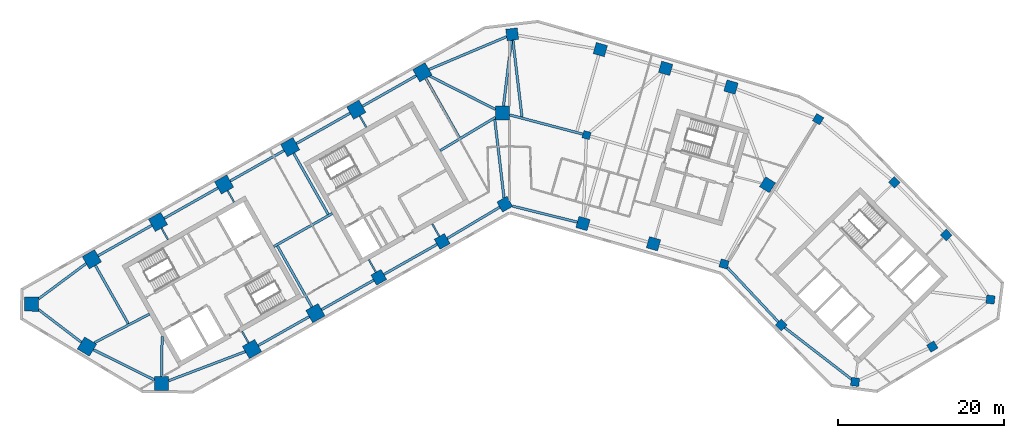
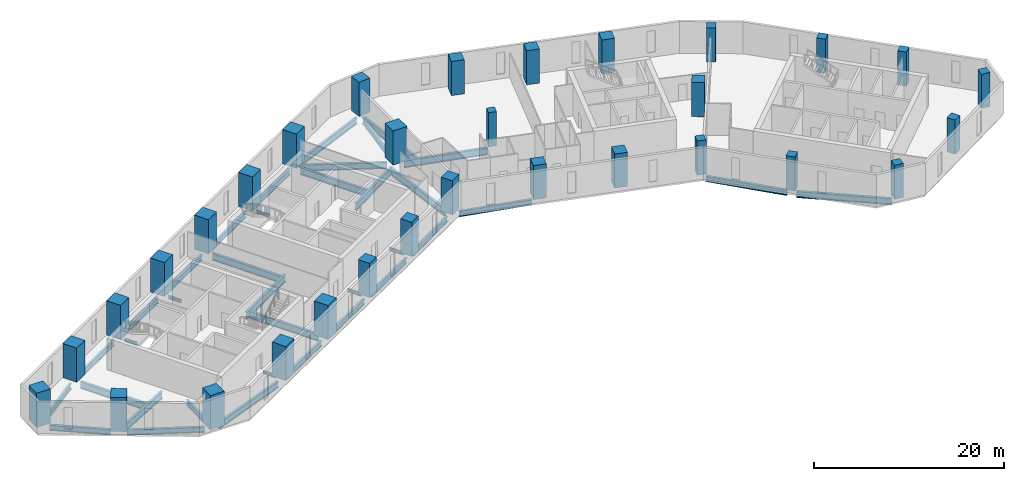
# One storey, part 1 of 10: 36 beams, 31 columns.
"""IFC4 building model written with IfcOpenShell, lengths in metres."""

from ifc_helpers import new_model, si_unit, direction, frame, origin, origin_2d, place, context, subcontext, project, spatial, rectangle, i_section, extrude, material, material_profile, profile_set, type_object, element, save


model = new_model("IFC4")

# Units and contexts
model_context = context("Model", 3, precision=1e-05, world=origin(), true_north=direction((0.0, 1.0)))
body_context = subcontext(model_context, "Body", "Model", "MODEL_VIEW")
ifc_project = project(units=[si_unit("LENGTHUNIT", "METRE"), si_unit("AREAUNIT", "SQUARE_METRE"), si_unit("VOLUMEUNIT", "CUBIC_METRE"), si_unit("PLANEANGLEUNIT", "RADIAN"), si_unit("MASSUNIT", "GRAM", prefix="KILO")], contexts=[model_context])

# Site, building, storey
site_placement = place(None, origin())
site = spatial("IfcSite", under=ifc_project, at=site_placement, CompositionType="ELEMENT")
building_placement = place(site_placement, origin())
building = spatial("IfcBuilding", under=site, at=building_placement, Name="Binnacle Exchange Tower", CompositionType="ELEMENT")
storey_placement = place(building_placement, frame((0.0, 0.0, 101.5)))
storey = spatial("IfcBuildingStorey", under=building, at=storey_placement, Name="L20", CompositionType="ELEMENT", Elevation=101.5)

# Columns
ifc_material_1 = material(Name="Concrete C60/75", Category="concrete")
ifc_material_profile_1 = material_profile(ifc_material_1, rectangle(XDim=0.89990234375, YDim=0.89990234375, at=origin_2d()), Name="Column 900x900 C60/75")
ifc_profile_set_1 = profile_set([ifc_material_profile_1], Name="Concrete C60/75")
column_type_1 = type_object("IfcColumnType", Name="Column 900x900 C60/75", PredefinedType="COLUMN", material=ifc_profile_set_1)
column_placement = place(storey_placement, frame((9.240966796875, 57.35009765625, 0.0), z_axis=(0.0, 0.0, 1.0), x_axis=(0.961261695938, -0.275637355817, 0.0)))
element("IfcColumn", 1, at=column_placement, inside=storey, type_object=column_type_1, Name="S:COL:C19:L20", PredefinedType="COLUMN", context=body_context, shape_type="SweptSolid", body=[
    extrude(rectangle(XDim=0.89990234375, YDim=0.89990234375, at=origin_2d()), origin(), (0.0, 0.0, 1.0), 4.39990234375),
])
ifc_material_2 = material(Name="Concrete C70/85", Category="concrete")
ifc_material_profile_2 = material_profile(ifc_material_2, rectangle(XDim=1.0, YDim=1.0, at=origin_2d()), Name="Mega column 1000x1000 C70/85")
ifc_profile_set_2 = profile_set([ifc_material_profile_2], Name="Concrete C70/85")
column_type_2 = type_object("IfcColumnType", Name="Mega column 1000x1000 C70/85", PredefinedType="COLUMN", material=ifc_profile_set_2)
for number, where, z_axis, x_axis, name in (
    (2, (37.0849609375, 59.262451171875, 0.0), (0.0, 0.0, 1.0), (-0.859406411501, 0.511293086077, 0.0), "S:COL:MC57:L20"),
    (3, (25.766845703125, 41.85986328125, 0.0), (0.0, 0.0, 1.0), (0.961261695938, -0.275637355817, 0.0), "S:COL:MC56:L20"),
    (4, (32.64111328125, 34.530029296875, 0.0), (0.0, 0.0, 1.0), (0.7009092643, -0.713250449154, 0.0), "S:COL:MC59:L20"),
    (5, (41.519775390625, 27.6748046875, 0.0), (0.0, 0.0, 1.0), (0.99200494968, -0.126198969136, 0.0), "S:COL:MC61:L20"),
    (6, (50.81201171875, 31.930908203125, 0.0), (0.0, 0.0, 1.0), (0.857167300702, 0.51503807491, 0.0), "S:COL:MC63:L20"),
    (7, (57.799072265625, 37.5810546875, 0.0), (0.0, 0.0, 1.0), (0.126198969136, 0.99200494968, 0.0), "S:COL:MC62:L20"),
    (8, (52.466796875, 45.33935546875, 0.0), (0.0, 0.0, 1.0), (-0.7009092643, 0.713250449154, 0.0), "S:COL:MC60:L20"),
    (9, (46.248291015625, 51.667236328125, 0.0), (0.0, 0.0, 1.0), (-0.7009092643, 0.713250449154, 0.0), "S:COL:MC58:L20"),
):
    element("IfcColumn", number, at=place(storey_placement, frame(where, z_axis=z_axis, x_axis=x_axis)), inside=storey, type_object=column_type_2, Name=name, PredefinedType="COLUMN", context=body_context, shape_type="SweptSolid", body=[
        extrude(rectangle(XDim=1.0, YDim=1.0, at=origin_2d()), origin(), (0.0, 0.0, 1.0), 4.39990234375),
    ])
ifc_material_profile_3 = material_profile(ifc_material_2, rectangle(XDim=1.39990234375, YDim=1.39990234375, at=origin_2d()), Name="Mega column 1400x1400 C70/85")
ifc_profile_set_3 = profile_set([ifc_material_profile_3], Name="Concrete C70/85")
column_type_3 = type_object("IfcColumnType", Name="Mega column 1400x1400 C70/85", PredefinedType="COLUMN", material=ifc_profile_set_3)
for number, where, z_axis, x_axis, name in (
    (10, (26.602783203125, 63.12353515625, 0.0), (0.0, 0.0, 1.0), (-0.961261695938, 0.275637355817, 0.0), "S:COL:MC52:L20"),
    (11, (18.746337890625, 65.376220703125, 0.0), (0.0, 0.0, 1.0), (-0.961261695938, 0.275637355817, 0.0), "S:COL:MC50:L20"),
    (12, (10.889892578125, 67.62890625, 0.0), (0.0, 0.0, 1.0), (-0.961261695938, 0.275637355817, 0.0), "S:COL:MC48:L20"),
    (13, (0.300048828125, 69.464111328125, 0.0), (0.0, 0.0, 1.0), (-0.993068456955, -0.117537397458, 0.0), "S:COL:MC47:L20"),
    (14, (-15.736328125, 40.257080078125, 0.0), (0.0, 0.0, 1.0), (0.87035569594, 0.492423560103, 0.0), "S:COL:MC24:L20"),
    (15, (-8.116943359375, 44.568115234375, 0.0), (0.0, 0.0, 1.0), (0.87035569594, 0.492423560103, 0.0), "S:COL:MC35:L20"),
    (16, (-0.5908203125, 49.04443359375, 0.0), (0.0, 0.0, 1.0), (0.87035569594, 0.492423560103, 0.0), "S:COL:MC46:L20"),
    (17, (8.8095703125, 46.722412109375, 0.0), (0.0, 0.0, 1.0), (0.961261695938, -0.275637355817, 0.0), "S:COL:MC49:L20"),
    (18, (17.2880859375, 44.291015625, 0.0), (0.0, 0.0, 1.0), (0.961261695938, -0.275637355817, 0.0), "S:COL:MC51:L20"),
    (19, (30.989501953125, 51.38623046875, 0.0), (0.0, 0.0, 1.0), (0.529919264233, 0.848048096156, 0.0), "S:COL:MC55:L20"),
):
    element("IfcColumn", number, at=place(storey_placement, frame(where, z_axis=z_axis, x_axis=x_axis)), inside=storey, type_object=column_type_3, Name=name, PredefinedType="COLUMN", context=body_context, shape_type="SweptSolid", body=[
        extrude(rectangle(XDim=1.39990234375, YDim=1.39990234375, at=origin_2d()), origin(), (0.0, 0.0, 1.0), 4.39990234375),
    ])
ifc_material_profile_4 = material_profile(ifc_material_2, rectangle(XDim=1.699951171875, YDim=1.699951171875, at=origin_2d()), Name="Mega column 1700x1700 C70/85")
ifc_profile_set_4 = profile_set([ifc_material_profile_4], Name="Concrete C70/85")
column_type_4 = type_object("IfcColumnType", Name="Mega column 1700x1700 C70/85", PredefinedType="COLUMN", material=ifc_profile_set_4)
for number, where, z_axis, x_axis, name in (
    (20, (-10.4951171875, 64.901611328125, 0.0), (0.0, 0.0, 1.0), (-0.87035569594, -0.492423560103, 0.0), "S:COL:MC38:L20"),
    (21, (-18.44140625, 60.406005859375, 0.0), (0.0, 0.0, 1.0), (-0.87035569594, -0.492423560103, 0.0), "S:COL:MC29:L20"),
    (22, (-26.3876953125, 55.91015625, 0.0), (0.0, 0.0, 1.0), (-0.87035569594, -0.492423560103, 0.0), "S:COL:MC21:L20"),
    (23, (-34.333740234375, 51.414306640625, 0.0), (0.0, 0.0, 1.0), (-0.87035569594, -0.492423560103, 0.0), "S:COL:MC13:L20"),
    (24, (-42.280029296875, 46.918701171875, 0.0), (0.0, 0.0, 1.0), (-0.87035569594, -0.492423560103, 0.0), "S:COL:MC08:L20"),
    (25, (-50.226318359375, 42.4228515625, 0.0), (0.0, 0.0, 1.0), (-0.87035569594, -0.492423560103, 0.0), "S:COL:MC04:L20"),
    (26, (-57.492919921875, 37.02734375, 0.0), (0.0, 0.0, 1.0), (-0.013089595571, -0.999914327574, 0.0), "S:COL:MC02:L20"),
    (27, (-50.81201171875, 31.930908203125, 0.0), (0.0, 0.0, 1.0), (0.857167300702, -0.51503807491, 0.0), "S:COL:MC01:L20"),
    (28, (-41.857666015625, 27.494873046875, 0.0), (0.0, 0.0, 1.0), (0.999914327574, -0.013089595571, 0.0), "S:COL:MC03:L20"),
    (29, (-30.9755859375, 31.63525390625, 0.0), (0.0, 0.0, 1.0), (0.87035569594, 0.492423560103, 0.0), "S:COL:MC07:L20"),
    (30, (-23.35595703125, 35.9462890625, 0.0), (0.0, 0.0, 1.0), (0.87035569594, 0.492423560103, 0.0), "S:COL:MC16:L20"),
    (31, (-0.85009765625, 60.0, 0.0), (0.0, 0.0, 1.0), (0.0, 1.0, 0.0), "S:COL:MC45:L20"),
):
    element("IfcColumn", number, at=place(storey_placement, frame(where, z_axis=z_axis, x_axis=x_axis)), inside=storey, type_object=column_type_4, Name=name, PredefinedType="COLUMN", context=body_context, shape_type="SweptSolid", body=[
        extrude(rectangle(XDim=1.699951171875, YDim=1.699951171875, at=origin_2d()), origin(), (0.0, 0.0, 1.0), 4.39990234375),
    ])

# Beams
ifc_material_3 = material(Name="Steel S355 (SHN355)", Category="steel")
ifc_material_profile_5 = material_profile(ifc_material_3, i_section(OverallWidth=0.300048828125, OverallDepth=0.699951171875, WebThickness=0.012939453125, FlangeThickness=0.02392578125, FilletRadius=0.028076171875, at=origin_2d()), Name="H 700x300x13x24")
ifc_profile_set_5 = profile_set([ifc_material_profile_5], Name="Steel S355 (SHN355)")
beam_type_1 = type_object("IfcBeamType", Name="Edge girder H 700x300x13x24 Steel S355 (SHN355)", PredefinedType="SPANDREL", material=ifc_profile_set_5)
beam_1_placement = place(storey_placement, frame((-56.6513671875, 36.38525390625, -0.669921875), z_axis=(0.795093040263, -0.606487474994, 0.0), x_axis=(0.606487474994, 0.795093040263, 0.0)))
element("IfcBeam", 32, at=beam_1_placement, inside=storey, type_object=beam_type_1, Name="S:BM:edge:L20:015", PredefinedType="SPANDREL", context=body_context, shape_type="SweptSolid", body=[
    extrude(i_section(OverallWidth=0.300048828125, OverallDepth=0.699951171875, WebThickness=0.012939453125, FlangeThickness=0.02392578125, FilletRadius=0.028076171875, at=origin_2d()), origin(), (0.0, 0.0, 1.0), 6.489013671875),
])
beam_2_placement = place(storey_placement, frame((-50.913818359375, 41.912353515625, -0.669921875), z_axis=(-0.80288535334, -0.59613346609, 0.0), x_axis=(0.59613346609, -0.80288535334, 0.0)))
element("IfcBeam", 33, at=beam_2_placement, inside=storey, type_object=beam_type_1, Name="S:BM:edge:L20:016", PredefinedType="SPANDREL", context=body_context, shape_type="SweptSolid", body=[
    extrude(i_section(OverallWidth=0.300048828125, OverallDepth=0.699951171875, WebThickness=0.012939453125, FlangeThickness=0.02392578125, FilletRadius=0.028076171875, at=origin_2d()), origin(), (0.0, 0.0, 1.0), 7.125244140625),
])
beam_3_placement = place(storey_placement, frame((-43.019775390625, 46.5, -0.669921875), z_axis=(-0.870364477798, -0.492408037898, 0.0), x_axis=(0.492408037898, -0.870364477798, 0.0)))
element("IfcBeam", 34, at=beam_3_placement, inside=storey, type_object=beam_type_1, Name="S:BM:edge:L20:018", PredefinedType="SPANDREL", context=body_context, shape_type="SweptSolid", body=[
    extrude(i_section(OverallWidth=0.300048828125, OverallDepth=0.699951171875, WebThickness=0.012939453125, FlangeThickness=0.02392578125, FilletRadius=0.028076171875, at=origin_2d()), origin(), (0.0, 0.0, 1.0), 7.4296875),
])
beam_4_placement = place(storey_placement, frame((-35.073486328125, 50.995849609375, -0.669921875), z_axis=(-0.870372444894, -0.492393955253, 0.0), x_axis=(0.492393955253, -0.870372444894, 0.0)))
element("IfcBeam", 35, at=beam_4_placement, inside=storey, type_object=beam_type_1, Name="S:BM:edge:L20:020", PredefinedType="SPANDREL", context=body_context, shape_type="SweptSolid", body=[
    extrude(i_section(OverallWidth=0.300048828125, OverallDepth=0.699951171875, WebThickness=0.012939453125, FlangeThickness=0.02392578125, FilletRadius=0.028076171875, at=origin_2d()), origin(), (0.0, 0.0, 1.0), 7.429931640625),
])
beam_5_placement = place(storey_placement, frame((-30.23583984375, 32.053955078125, -0.669921875), z_axis=(0.870373276953, 0.492392484473, 0.0), x_axis=(-0.492392484473, 0.870373276953, 0.0)))
element("IfcBeam", 36, at=beam_5_placement, inside=storey, type_object=beam_type_1, Name="S:BM:edge:L20:021", PredefinedType="SPANDREL", context=body_context, shape_type="SweptSolid", body=[
    extrude(i_section(OverallWidth=0.300048828125, OverallDepth=0.699951171875, WebThickness=0.012939453125, FlangeThickness=0.02392578125, FilletRadius=0.028076171875, at=origin_2d()), origin(), (0.0, 0.0, 1.0), 7.0546875),
])
beam_6_placement = place(storey_placement, frame((-27.12744140625, 55.49169921875, -0.669921875), z_axis=(-0.870350394687, -0.492432929919, 0.0), x_axis=(0.492432929919, -0.870350394687, 0.0)))
element("IfcBeam", 37, at=beam_6_placement, inside=storey, type_object=beam_type_1, Name="S:BM:edge:L20:022", PredefinedType="SPANDREL", context=body_context, shape_type="SweptSolid", body=[
    extrude(i_section(OverallWidth=0.300048828125, OverallDepth=0.699951171875, WebThickness=0.012939453125, FlangeThickness=0.02392578125, FilletRadius=0.028076171875, at=origin_2d()), origin(), (0.0, 0.0, 1.0), 7.429931640625),
])
beam_7_placement = place(storey_placement, frame((-22.6162109375, 36.36474609375, -0.669921875), z_axis=(0.870345646157, 0.492441322612, 0.0), x_axis=(-0.492441322612, 0.870345646157, 0.0)))
element("IfcBeam", 38, at=beam_7_placement, inside=storey, type_object=beam_type_1, Name="S:BM:edge:L20:023", PredefinedType="SPANDREL", context=body_context, shape_type="SweptSolid", body=[
    extrude(i_section(OverallWidth=0.300048828125, OverallDepth=0.699951171875, WebThickness=0.012939453125, FlangeThickness=0.02392578125, FilletRadius=0.028076171875, at=origin_2d()), origin(), (0.0, 0.0, 1.0), 7.20458984375),
])
beam_8_placement = place(storey_placement, frame((-19.18115234375, 59.9873046875, -0.669921875), z_axis=(-0.870364477798, -0.492408037898, 0.0), x_axis=(0.492408037898, -0.870364477798, 0.0)))
element("IfcBeam", 39, at=beam_8_placement, inside=storey, type_object=beam_type_1, Name="S:BM:edge:L20:024", PredefinedType="SPANDREL", context=body_context, shape_type="SweptSolid", body=[
    extrude(i_section(OverallWidth=0.300048828125, OverallDepth=0.699951171875, WebThickness=0.012939453125, FlangeThickness=0.02392578125, FilletRadius=0.028076171875, at=origin_2d()), origin(), (0.0, 0.0, 1.0), 7.4296875),
])
beam_9_placement = place(storey_placement, frame((-15.127197265625, 40.601806640625, -0.669921875), z_axis=(0.870355645737, 0.492423648837, 0.0), x_axis=(-0.492423648837, 0.870355645737, 0.0)))
element("IfcBeam", 40, at=beam_9_placement, inside=storey, type_object=beam_type_1, Name="S:BM:edge:L20:025", PredefinedType="SPANDREL", context=body_context, shape_type="SweptSolid", body=[
    extrude(i_section(OverallWidth=0.300048828125, OverallDepth=0.699951171875, WebThickness=0.012939453125, FlangeThickness=0.02392578125, FilletRadius=0.028076171875, at=origin_2d()), origin(), (0.0, 0.0, 1.0), 7.3544921875),
])
beam_10_placement = place(storey_placement, frame((-11.23486328125, 64.483154296875, -0.669921875), z_axis=(-0.870364477798, -0.492408037898, 0.0), x_axis=(0.492408037898, -0.870364477798, 0.0)))
element("IfcBeam", 41, at=beam_10_placement, inside=storey, type_object=beam_type_1, Name="S:BM:edge:L20:026", PredefinedType="SPANDREL", context=body_context, shape_type="SweptSolid", body=[
    extrude(i_section(OverallWidth=0.300048828125, OverallDepth=0.699951171875, WebThickness=0.012939453125, FlangeThickness=0.02392578125, FilletRadius=0.028076171875, at=origin_2d()), origin(), (0.0, 0.0, 1.0), 7.4296875),
])
beam_11_placement = place(storey_placement, frame((-7.51513671875, 44.926025390625, -0.669921875), z_axis=(0.859466137143, 0.511192682952, 0.0), x_axis=(-0.511192682952, 0.859466137143, 0.0)))
element("IfcBeam", 42, at=beam_11_placement, inside=storey, type_object=beam_type_1, Name="S:BM:edge:L20:027", PredefinedType="SPANDREL", context=body_context, shape_type="SweptSolid", body=[
    extrude(i_section(OverallWidth=0.300048828125, OverallDepth=0.699951171875, WebThickness=0.012939453125, FlangeThickness=0.02392578125, FilletRadius=0.028076171875, at=origin_2d()), origin(), (0.0, 0.0, 1.0), 7.356201171875),
])
beam_12_placement = place(storey_placement, frame((0.343994140625, 48.8134765625, -0.669921875), z_axis=(0.970820959584, -0.239805472064, 0.0), x_axis=(0.239805472064, 0.970820959584, 0.0)))
element("IfcBeam", 43, at=beam_12_placement, inside=storey, type_object=beam_type_1, Name="S:BM:edge:L20:029", PredefinedType="SPANDREL", context=body_context, shape_type="SweptSolid", body=[
    extrude(i_section(OverallWidth=0.300048828125, OverallDepth=0.699951171875, WebThickness=0.012939453125, FlangeThickness=0.02392578125, FilletRadius=0.028076171875, at=origin_2d()), origin(), (0.0, 0.0, 1.0), 8.019287109375),
])
ifc_material_profile_6 = material_profile(ifc_material_3, i_section(OverallWidth=0.302001953125, OverallDepth=0.7080078125, WebThickness=0.014892578125, FlangeThickness=0.028076171875, FilletRadius=0.028076171875, at=origin_2d()), Name="H 708x302x15x28")
ifc_profile_set_6 = profile_set([ifc_material_profile_6], Name="Steel S355 (SHN355)")
beam_type_2 = type_object("IfcBeamType", Name="Edge girder H 708x302x15x28 Steel S355 (SHN355)", PredefinedType="SPANDREL", material=ifc_profile_set_6)
beam_13_placement = place(storey_placement, frame((-50.0478515625, 31.55224609375, -0.674072265625), z_axis=(0.896059216286, -0.443934545749, 0.0), x_axis=(0.443934545749, 0.896059216286, 0.0)))
element("IfcBeam", 44, at=beam_13_placement, inside=storey, type_object=beam_type_2, Name="S:BM:edge:L20:017", PredefinedType="SPANDREL", context=body_context, shape_type="SweptSolid", body=[
    extrude(i_section(OverallWidth=0.302001953125, OverallDepth=0.7080078125, WebThickness=0.014892578125, FlangeThickness=0.028076171875, FilletRadius=0.028076171875, at=origin_2d()), origin(), (0.0, 0.0, 1.0), 8.197509765625),
])
beam_14_placement = place(storey_placement, frame((26.165283203125, 41.43505859375, -0.674072265625), z_axis=(0.684076068391, -0.729410674898, 0.0), x_axis=(0.729410674898, 0.684076068391, 0.0)))
element("IfcBeam", 45, at=beam_14_placement, inside=storey, type_object=beam_type_2, Name="S:BM:edge:L20:035", PredefinedType="SPANDREL", context=body_context, shape_type="SweptSolid", body=[
    extrude(i_section(OverallWidth=0.302001953125, OverallDepth=0.7080078125, WebThickness=0.014892578125, FlangeThickness=0.028076171875, FilletRadius=0.028076171875, at=origin_2d()), origin(), (0.0, 0.0, 1.0), 8.966552734375),
])
ifc_material_profile_7 = material_profile(ifc_material_3, i_section(OverallWidth=0.302001953125, OverallDepth=0.80810546875, WebThickness=0.01611328125, FlangeThickness=0.030029296875, FilletRadius=0.028076171875, at=origin_2d()), Name="H 808x302x16x30")
ifc_profile_set_7 = profile_set([ifc_material_profile_7], Name="Steel S355 (SHN355)")
beam_type_3 = type_object("IfcBeamType", Name="Edge girder H 808x302x16x30 Steel S355 (SHN355)", PredefinedType="SPANDREL", material=ifc_profile_set_7)
beam_15_placement = place(storey_placement, frame((-41.00341796875, 27.81982421875, -0.72412109375), z_axis=(0.934628738252, 0.355624973297, 0.0), x_axis=(-0.355624973297, 0.934628738252, 0.0)))
element("IfcBeam", 46, at=beam_15_placement, inside=storey, type_object=beam_type_3, Name="S:BM:edge:L20:019", PredefinedType="SPANDREL", context=body_context, shape_type="SweptSolid", body=[
    extrude(i_section(OverallWidth=0.302001953125, OverallDepth=0.80810546875, WebThickness=0.01611328125, FlangeThickness=0.030029296875, FilletRadius=0.028076171875, at=origin_2d()), origin(), (0.0, 0.0, 1.0), 9.869384765625),
])
beam_16_placement = place(storey_placement, frame((-0.37109375, 69.180419921875, -0.72412109375), z_axis=(-0.921114465748, -0.389291845523, 0.0), x_axis=(0.389291845523, -0.921114465748, 0.0)))
element("IfcBeam", 47, at=beam_16_placement, inside=storey, type_object=beam_type_3, Name="S:BM:edge:L20:028", PredefinedType="SPANDREL", context=body_context, shape_type="SweptSolid", body=[
    extrude(i_section(OverallWidth=0.302001953125, OverallDepth=0.80810546875, WebThickness=0.01611328125, FlangeThickness=0.030029296875, FilletRadius=0.028076171875, at=origin_2d()), origin(), (0.0, 0.0, 1.0), 10.13525390625),
])
beam_17_placement = place(storey_placement, frame((33.040771484375, 34.2216796875, -0.72412109375), z_axis=(0.791519159984, -0.611144352324, 0.0), x_axis=(0.611144352324, 0.791519159984, 0.0)))
element("IfcBeam", 48, at=beam_17_placement, inside=storey, type_object=beam_type_3, Name="S:BM:edge:L20:036", PredefinedType="SPANDREL", context=body_context, shape_type="SweptSolid", body=[
    extrude(i_section(OverallWidth=0.302001953125, OverallDepth=0.80810546875, WebThickness=0.01611328125, FlangeThickness=0.030029296875, FilletRadius=0.028076171875, at=origin_2d()), origin(), (0.0, 0.0, 1.0), 10.13232421875),
])
ifc_material_profile_8 = material_profile(ifc_material_3, i_section(OverallWidth=0.199951171875, OverallDepth=0.39990234375, WebThickness=0.008056640625, FlangeThickness=0.012939453125, FilletRadius=0.01611328125, at=origin_2d()), Name="H 400x200x8x13")
ifc_profile_set_8 = profile_set([ifc_material_profile_8], Name="Steel S355 (SHN355)")
beam_type_4 = type_object("IfcBeamType", Name="Floor beam H 400x200x8x13 Steel S355 (SHN355)", PredefinedType="BEAM", material=ifc_profile_set_8)
beam_18_placement = place(storey_placement, frame((-41.861328125, 46.178955078125, -0.52001953125), z_axis=(0.492366981934, -0.870387703901, 0.0), x_axis=(0.870387703901, 0.492366981934, 0.0)))
element("IfcBeam", 49, at=beam_18_placement, inside=storey, type_object=beam_type_4, Name="S:BM:cross:L20:044", PredefinedType="BEAM", context=body_context, shape_type="SweptSolid", body=[
    extrude(i_section(OverallWidth=0.199951171875, OverallDepth=0.39990234375, WebThickness=0.008056640625, FlangeThickness=0.012939453125, FilletRadius=0.01611328125, at=origin_2d()), origin(), (0.0, 0.0, 1.0), 1.584228515625),
])
beam_19_placement = place(storey_placement, frame((-33.915283203125, 50.674560546875, -0.52001953125), z_axis=(0.492483715062, -0.870321659158, 0.0), x_axis=(0.870321659158, 0.492483715062, 0.0)))
element("IfcBeam", 50, at=beam_19_placement, inside=storey, type_object=beam_type_4, Name="S:BM:cross:L20:046", PredefinedType="BEAM", context=body_context, shape_type="SweptSolid", body=[
    extrude(i_section(OverallWidth=0.199951171875, OverallDepth=0.39990234375, WebThickness=0.008056640625, FlangeThickness=0.012939453125, FilletRadius=0.01611328125, at=origin_2d()), origin(), (0.0, 0.0, 1.0), 1.58447265625),
])
for number, where, z_axis, x_axis, name in (
    (51, (-31.394287109375, 32.375, -0.52001953125), (-0.492366981934, 0.870387703901, 0.0), (-0.870387703901, -0.492366981934, 0.0), "S:BM:cross:L20:047"),
    (52, (-18.022705078125, 59.666259765625, -0.52001953125), (0.492366981934, -0.870387703901, 0.0), (0.870387703901, 0.492366981934, 0.0), "S:BM:cross:L20:050"),
):
    element("IfcBeam", number, at=place(storey_placement, frame(where, z_axis=z_axis, x_axis=x_axis)), inside=storey, type_object=beam_type_4, Name=name, PredefinedType="BEAM", context=body_context, shape_type="SweptSolid", body=[
        extrude(i_section(OverallWidth=0.199951171875, OverallDepth=0.39990234375, WebThickness=0.008056640625, FlangeThickness=0.012939453125, FilletRadius=0.01611328125, at=origin_2d()), origin(), (0.0, 0.0, 1.0), 1.584228515625),
    ])
for number, where, z_axis, x_axis, name in (
    (53, (-16.0810546875, 40.866455078125, -0.52001953125), (-0.492405102951, 0.870366138236, 0.0), (-0.870366138236, -0.492405102951, 0.0), "S:BM:cross:L20:051"),
    (54, (-8.461669921875, 45.17724609375, -0.52001953125), (-0.492405102951, 0.870366138236, 0.0), (-0.870366138236, -0.492405102951, 0.0), "S:BM:cross:L20:053"),
):
    element("IfcBeam", number, at=place(storey_placement, frame(where, z_axis=z_axis, x_axis=x_axis)), inside=storey, type_object=beam_type_4, Name=name, PredefinedType="BEAM", context=body_context, shape_type="SweptSolid", body=[
        extrude(i_section(OverallWidth=0.199951171875, OverallDepth=0.39990234375, WebThickness=0.008056640625, FlangeThickness=0.012939453125, FilletRadius=0.01611328125, at=origin_2d()), origin(), (0.0, 0.0, 1.0), 1.734375),
    ])
ifc_material_profile_9 = material_profile(ifc_material_3, i_section(OverallWidth=0.300048828125, OverallDepth=0.699951171875, WebThickness=0.012939453125, FlangeThickness=0.02392578125, FilletRadius=0.028076171875, at=origin_2d()), Name="H 700x300x13x24")
ifc_profile_set_9 = profile_set([ifc_material_profile_9], Name="Steel S355 (SHN355)")
beam_type_5 = type_object("IfcBeamType", Name="Floor beam H 700x300x13x24 Steel S355 (SHN355)", PredefinedType="BEAM", material=ifc_profile_set_9)
beam_20_placement = place(storey_placement, frame((-41.8466796875, 28.3447265625, -0.669921875), z_axis=(0.013120628196, 0.999913920853, 0.0), x_axis=(-0.999913920853, 0.013120628196, 0.0)))
element("IfcBeam", 55, at=beam_20_placement, inside=storey, type_object=beam_type_5, Name="S:BM:cross:L20:045", PredefinedType="BEAM", context=body_context, shape_type="SweptSolid", body=[
    extrude(i_section(OverallWidth=0.300048828125, OverallDepth=0.699951171875, WebThickness=0.012939453125, FlangeThickness=0.02392578125, FilletRadius=0.028076171875, at=origin_2d()), origin(), (0.0, 0.0, 1.0), 4.80078125),
])
ifc_material_profile_10 = material_profile(ifc_material_3, i_section(OverallWidth=0.300048828125, OverallDepth=0.89990234375, WebThickness=0.01611328125, FlangeThickness=0.028076171875, FilletRadius=0.028076171875, at=origin_2d()), Name="H 900x300x16x28")
ifc_profile_set_10 = profile_set([ifc_material_profile_10], Name="Steel S355 (SHN355)")
beam_type_6 = type_object("IfcBeamType", Name="Floor beam H 900x300x16x28 Steel S355 (SHN355)", PredefinedType="BEAM", material=ifc_profile_set_10)
beam_21_placement = place(storey_placement, frame((-49.8076171875, 41.68310546875, -0.77001953125), z_axis=(0.492423370769, -0.87035580306, 0.0), x_axis=(0.87035580306, 0.492423370769, 0.0)))
element("IfcBeam", 56, at=beam_21_placement, inside=storey, type_object=beam_type_6, Name="S:BM:cross:L20:043", PredefinedType="BEAM", context=body_context, shape_type="SweptSolid", body=[
    extrude(i_section(OverallWidth=0.300048828125, OverallDepth=0.89990234375, WebThickness=0.01611328125, FlangeThickness=0.028076171875, FilletRadius=0.028076171875, at=origin_2d()), origin(), (0.0, 0.0, 1.0), 8.041259765625),
])
beam_22_placement = place(storey_placement, frame((-10.076416015625, 64.161865234375, -0.77001953125), z_axis=(0.492410737926, -0.870362950254, 0.0), x_axis=(0.870362950254, 0.492410737926, 0.0)))
element("IfcBeam", 57, at=beam_22_placement, inside=storey, type_object=beam_type_6, Name="S:BM:cross:L20:052", PredefinedType="BEAM", context=body_context, shape_type="SweptSolid", body=[
    extrude(i_section(OverallWidth=0.300048828125, OverallDepth=0.89990234375, WebThickness=0.01611328125, FlangeThickness=0.028076171875, FilletRadius=0.028076171875, at=origin_2d()), origin(), (0.0, 0.0, 1.0), 8.16943359375),
])
ifc_material_profile_11 = material_profile(ifc_material_3, i_section(OverallWidth=0.302001953125, OverallDepth=0.912109375, WebThickness=0.01806640625, FlangeThickness=0.033935546875, FilletRadius=0.028076171875, at=origin_2d()), Name="H 912x302x18x34")
ifc_profile_set_11 = profile_set([ifc_material_profile_11], Name="Steel S355 (SHN355)")
beam_type_7 = type_object("IfcBeamType", Name="Floor beam H 912x302x18x34 Steel S355 (SHN355)", PredefinedType="BEAM", material=ifc_profile_set_11)
for number, where, z_axis, x_axis, name in (
    (58, (-25.968994140625, 55.17041015625, -0.77587890625), (0.492409177884, -0.870363832851, 0.0), (0.870363832851, 0.492409177884, 0.0), "S:BM:cross:L20:048"),
    (59, (-23.774658203125, 36.68603515625, -0.77587890625), (-0.492409177884, 0.870363832851, 0.0), (-0.870363832851, -0.492409177884, 0.0), "S:BM:cross:L20:049"),
):
    element("IfcBeam", number, at=place(storey_placement, frame(where, z_axis=z_axis, x_axis=x_axis)), inside=storey, type_object=beam_type_7, Name=name, PredefinedType="BEAM", context=body_context, shape_type="SweptSolid", body=[
        extrude(i_section(OverallWidth=0.302001953125, OverallDepth=0.912109375, WebThickness=0.01806640625, FlangeThickness=0.033935546875, FilletRadius=0.028076171875, at=origin_2d()), origin(), (0.0, 0.0, 1.0), 8.43408203125),
    ])
ifc_material_profile_12 = material_profile(ifc_material_3, i_section(OverallWidth=0.302978515625, OverallDepth=0.91796875, WebThickness=0.01904296875, FlangeThickness=0.037109375, FilletRadius=0.028076171875, at=origin_2d()), Name="H 918x303x19x37")
ifc_profile_set_12 = profile_set([ifc_material_profile_12], Name="Steel S355 (SHN355)")
beam_type_8 = type_object("IfcBeamType", Name="Floor beam H 918x303x19x37 Steel S355 (SHN355)", PredefinedType="BEAM", material=ifc_profile_set_12)
beam_23_placement = place(storey_placement, frame((-0.68017578125, 49.79833984375, -0.779052734375), z_axis=(-0.11752294526, 0.993070167379, 0.0), x_axis=(-0.993070167379, -0.11752294526, 0.0)))
element("IfcBeam", 60, at=beam_23_placement, inside=storey, type_object=beam_type_8, Name="S:BM:cross:L20:054", PredefinedType="BEAM", context=body_context, shape_type="SweptSolid", body=[
    extrude(i_section(OverallWidth=0.302978515625, OverallDepth=0.91796875, WebThickness=0.01904296875, FlangeThickness=0.037109375, FilletRadius=0.028076171875, at=origin_2d()), origin(), (0.0, 0.0, 1.0), 9.537353515625),
])
beam_24_placement = place(storey_placement, frame((0.38232421875, 68.76904296875, -0.779052734375), z_axis=(0.117557103339, -0.993066124412, 0.0), x_axis=(0.993066124412, 0.117557103339, 0.0)))
element("IfcBeam", 61, at=beam_24_placement, inside=storey, type_object=beam_type_8, Name="S:BM:cross:L20:055", PredefinedType="BEAM", context=body_context, shape_type="SweptSolid", body=[
    extrude(i_section(OverallWidth=0.302978515625, OverallDepth=0.91796875, WebThickness=0.01904296875, FlangeThickness=0.037109375, FilletRadius=0.028076171875, at=origin_2d()), origin(), (0.0, 0.0, 1.0), 9.2998046875),
])
ifc_material_profile_13 = material_profile(ifc_material_3, i_section(OverallWidth=0.302001953125, OverallDepth=0.7080078125, WebThickness=0.014892578125, FlangeThickness=0.028076171875, FilletRadius=0.028076171875, at=origin_2d()), Name="H 708x302x15x28")
ifc_profile_set_13 = profile_set([ifc_material_profile_13], Name="Steel S355 (SHN355)")
beam_type_9 = type_object("IfcBeamType", Name="Spine girder H 708x302x15x28 Steel S355 (SHN355)", PredefinedType="BEAM", material=ifc_profile_set_13)
beam_25_placement = place(storey_placement, frame((-0.74658203125, 60.85009765625, -0.674072265625), z_axis=(0.120612669289, 0.992699644408, 0.0), x_axis=(-0.992699644408, 0.120612669289, 0.0)))
element("IfcBeam", 62, at=beam_25_placement, inside=storey, type_object=beam_type_9, Name="S:BM:spine:L20:005", PredefinedType="BEAM", context=body_context, shape_type="SweptSolid", body=[
    extrude(i_section(OverallWidth=0.302001953125, OverallDepth=0.7080078125, WebThickness=0.014892578125, FlangeThickness=0.028076171875, FilletRadius=0.028076171875, at=origin_2d()), origin(), (0.0, 0.0, 1.0), 7.95703125),
])
ifc_material_profile_14 = material_profile(ifc_material_3, i_section(OverallWidth=0.302001953125, OverallDepth=0.80810546875, WebThickness=0.01611328125, FlangeThickness=0.030029296875, FilletRadius=0.028076171875, at=origin_2d()), Name="H 808x302x16x30")
ifc_profile_set_14 = profile_set([ifc_material_profile_14], Name="Steel S355 (SHN355)")
beam_type_10 = type_object("IfcBeamType", Name="Spine girder H 808x302x16x30 Steel S355 (SHN355)", PredefinedType="BEAM", material=ifc_profile_set_14)
beam_26_placement = place(storey_placement, frame((-1.699951171875, 60.431884765625, -0.72412109375), z_axis=(-0.891471296315, 0.45307717648, 0.0), x_axis=(-0.45307717648, -0.891471296315, 0.0)))
element("IfcBeam", 63, at=beam_26_placement, inside=storey, type_object=beam_type_10, Name="S:BM:spine:L20:004", PredefinedType="BEAM", context=body_context, shape_type="SweptSolid", body=[
    extrude(i_section(OverallWidth=0.302001953125, OverallDepth=0.80810546875, WebThickness=0.01611328125, FlangeThickness=0.030029296875, FilletRadius=0.028076171875, at=origin_2d()), origin(), (0.0, 0.0, 1.0), 8.845703125),
])
ifc_material_profile_15 = material_profile(ifc_material_3, i_section(OverallWidth=0.300048828125, OverallDepth=0.89990234375, WebThickness=0.01611328125, FlangeThickness=0.028076171875, FilletRadius=0.028076171875, at=origin_2d()), Name="H 900x300x16x28")
ifc_profile_set_15 = profile_set([ifc_material_profile_15], Name="Steel S355 (SHN355)")
beam_type_11 = type_object("IfcBeamType", Name="Spine girder H 900x300x16x28 Steel S355 (SHN355)", PredefinedType="BEAM", material=ifc_profile_set_15)
beam_27_placement = place(storey_placement, frame((-49.927734375, 32.391357421875, -0.77001953125), z_axis=(0.886979965344, 0.461807904954, 0.0), x_axis=(-0.461807904954, 0.886979965344, 0.0)))
element("IfcBeam", 64, at=beam_27_placement, inside=storey, type_object=beam_type_11, Name="S:BM:spine:L20:001", PredefinedType="BEAM", context=body_context, shape_type="SweptSolid", body=[
    extrude(i_section(OverallWidth=0.300048828125, OverallDepth=0.89990234375, WebThickness=0.01611328125, FlangeThickness=0.028076171875, FilletRadius=0.028076171875, at=origin_2d()), origin(), (0.0, 0.0, 1.0), 7.463623046875),
])
beam_28_placement = place(storey_placement, frame((-8.36328125, 55.489990234375, -0.77001953125), z_axis=(0.857393122678, 0.514662057261, 0.0), x_axis=(-0.514662057261, 0.857393122678, 0.0)))
element("IfcBeam", 65, at=beam_28_placement, inside=storey, type_object=beam_type_11, Name="S:BM:spine:L20:003", PredefinedType="BEAM", context=body_context, shape_type="SweptSolid", body=[
    extrude(i_section(OverallWidth=0.300048828125, OverallDepth=0.89990234375, WebThickness=0.01611328125, FlangeThickness=0.028076171875, FilletRadius=0.028076171875, at=origin_2d()), origin(), (0.0, 0.0, 1.0), 7.771728515625),
])
ifc_material_profile_16 = material_profile(ifc_material_3, i_section(OverallWidth=0.302001953125, OverallDepth=0.912109375, WebThickness=0.01806640625, FlangeThickness=0.033935546875, FilletRadius=0.028076171875, at=origin_2d()), Name="H 912x302x18x34")
ifc_profile_set_16 = profile_set([ifc_material_profile_16], Name="Steel S355 (SHN355)")
beam_type_12 = type_object("IfcBeamType", Name="Spine girder H 912x302x18x34 Steel S355 (SHN355)", PredefinedType="BEAM", material=ifc_profile_set_16)
beam_29_placement = place(storey_placement, frame((-28.365478515625, 43.951416015625, -0.77587890625), z_axis=(0.870350319004, 0.492433063684, 0.0), x_axis=(-0.492433063684, 0.870350319004, 0.0)))
element("IfcBeam", 66, at=beam_29_placement, inside=storey, type_object=beam_type_12, Name="S:BM:spine:L20:002", PredefinedType="BEAM", context=body_context, shape_type="SweptSolid", body=[
    extrude(i_section(OverallWidth=0.302001953125, OverallDepth=0.912109375, WebThickness=0.01806640625, FlangeThickness=0.033935546875, FilletRadius=0.028076171875, at=origin_2d()), origin(), (0.0, 0.0, 1.0), 8.0908203125),
])
ifc_material_profile_17 = material_profile(ifc_material_3, i_section(OverallWidth=0.302978515625, OverallDepth=0.91796875, WebThickness=0.01904296875, FlangeThickness=0.037109375, FilletRadius=0.028076171875, at=origin_2d()), Name="H 918x303x19x37")
ifc_profile_set_17 = profile_set([ifc_material_profile_17], Name="Steel S355 (SHN355)")
beam_type_13 = type_object("IfcBeamType", Name="Spine girder H 918x303x19x37 Steel S355 (SHN355)", PredefinedType="BEAM", material=ifc_profile_set_17)
beam_30_placement = place(storey_placement, frame((0.0, 59.77685546875, -0.779052734375), z_axis=(0.967208488002, -0.253983741089, 0.0), x_axis=(0.253983741089, 0.967208488002, 0.0)))
element("IfcBeam", 67, at=beam_30_placement, inside=storey, type_object=beam_type_13, Name="S:BM:spine:L20:006", PredefinedType="BEAM", context=body_context, shape_type="SweptSolid", body=[
    extrude(i_section(OverallWidth=0.302978515625, OverallDepth=0.91796875, WebThickness=0.01904296875, FlangeThickness=0.037109375, FilletRadius=0.028076171875, at=origin_2d()), origin(), (0.0, 0.0, 1.0), 9.10400390625),
])

save(model, "model.ifc")
